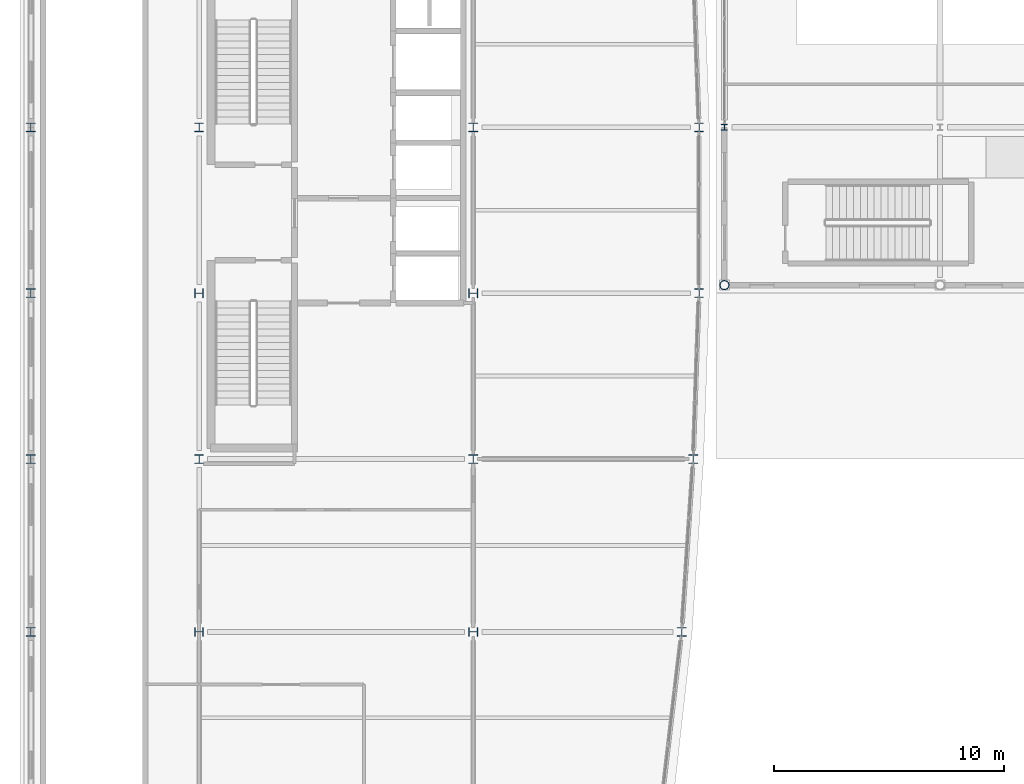
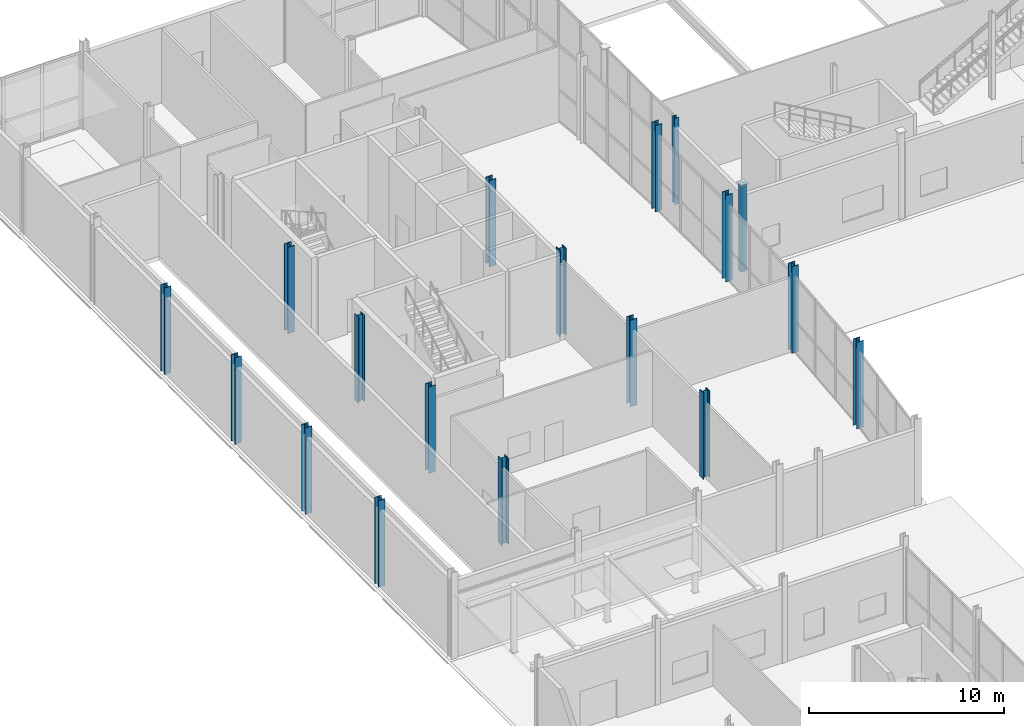
# One storey, part 3 of 83: 18 columns.
"""IFC4 building model written with IfcOpenShell, lengths in metres."""

from ifc_helpers import new_model, si_unit, direction, frame, origin, origin_2d, place, context, subcontext, project, spatial, hollow_circle, i_section, extrude, material, material_profile, profile_set, type_object, element, save


model = new_model("IFC4")

# Units and contexts
model_context = context("Model", 3, precision=1e-05, world=origin(), true_north=direction((0.0, 1.0)))
body_context = subcontext(model_context, "Body", "Model", "MODEL_VIEW")
ifc_project = project(units=[si_unit("LENGTHUNIT", "METRE"), si_unit("AREAUNIT", "SQUARE_METRE"), si_unit("VOLUMEUNIT", "CUBIC_METRE"), si_unit("PLANEANGLEUNIT", "RADIAN"), si_unit("MASSUNIT", "GRAM", prefix="KILO")], contexts=[model_context])

# Site, building, storey
site_placement = place(None, origin())
site = spatial("IfcSite", under=ifc_project, at=site_placement, CompositionType="ELEMENT")
building_placement = place(site_placement, origin())
building = spatial("IfcBuilding", under=site, at=building_placement, Name="Quillay Park Conservatory", CompositionType="ELEMENT")
storey_placement = place(building_placement, origin())
storey = spatial("IfcBuildingStorey", under=building, at=storey_placement, Name="L00", CompositionType="ELEMENT", Elevation=0.0)

# Columns
ifc_material_1 = material(Name="Steel S355J2H", Category="steel")
ifc_material_profile_1 = material_profile(ifc_material_1, hollow_circle(Radius=0.203125, WallThickness=0.01611328125, at=origin_2d()), Name="CHS406.4x16")
ifc_profile_set_1 = profile_set([ifc_material_profile_1], Name="Steel S355J2H")
column_type_1 = type_object("IfcColumnType", Name="COMPOSITE STEEL COLUMN CHS406", PredefinedType="COLUMN", material=ifc_profile_set_1)
column_1_placement = place(storey_placement, frame((30.64990234375, 85.550048828125, 0.0), z_axis=(0.0, 0.0, 1.0), x_axis=(1.0, 0.0, 0.0)))
element("IfcColumn", 1, at=column_1_placement, inside=storey, type_object=column_type_1, Name="L00 column COL-V1-L00-0-0", PredefinedType="COLUMN", context=body_context, shape_type="SweptSolid", body=[
    extrude(hollow_circle(Radius=0.203125, WallThickness=0.01611328125, at=origin_2d()), origin(), (0.0, 0.0, 1.0), 5.39990234375),
])
ifc_material_2 = material(Name="Steel ASTM A992 Grade 50", Category="steel")
ifc_material_profile_2 = material_profile(ifc_material_2, i_section(OverallWidth=0.256103515625, OverallDepth=0.260009765625, WebThickness=0.0107421875, FlangeThickness=0.017333984375, FilletRadius=0.012939453125, at=origin_2d()), Name="W250x89")
ifc_profile_set_2 = profile_set([ifc_material_profile_2], Name="Steel ASTM A992 Grade 50")
column_type_2 = type_object("IfcColumnType", Name="COMPOSITE STEEL COLUMN W250 X89", PredefinedType="COLUMN", material=ifc_profile_set_2)
column_2_placement = place(storey_placement, frame((30.64990234375, 92.39990234375, 0.0), z_axis=(0.0, 0.0, 1.0), x_axis=(1.0, 0.0, 0.0)))
element("IfcColumn", 2, at=column_2_placement, inside=storey, type_object=column_type_2, Name="L00 column COL-V1-WK-0", PredefinedType="COLUMN", context=body_context, shape_type="SweptSolid", body=[
    extrude(i_section(OverallWidth=0.256103515625, OverallDepth=0.260009765625, WebThickness=0.0107421875, FlangeThickness=0.017333984375, FilletRadius=0.012939453125, at=origin_2d()), origin(), (0.0, 0.0, 1.0), 5.39990234375),
])
ifc_material_3 = material(Name="Steel ASTM A992 Grade 50", Category="steel")
ifc_material_profile_3 = material_profile(ifc_material_3, i_section(OverallWidth=0.39892578125, OverallDepth=0.39306640625, WebThickness=0.022705078125, FlangeThickness=0.0361328125, FilletRadius=0.014892578125, at=origin_2d()), Name="W360x287")
ifc_profile_set_3 = profile_set([ifc_material_profile_3], Name="Steel ASTM A992 Grade 50")
column_type_3 = type_object("IfcColumnType", Name="COMPOSITE STEEL COLUMN W360 X287", PredefinedType="COLUMN", material=ifc_profile_set_3)
for number, where, z_axis, x_axis, name in (
    (3, (0.550048828125, 70.5, 0.0), (0.0, 0.0, 1.0), (1.0, 0.0, 0.0), "L00 column COL-V4-L00-1-0"),
    (4, (7.85009765625, 70.5, 0.0), (0.0, 0.0, 1.0), (0.0, 1.0, 0.0), "L00 column COL-V4-L00-1-1"),
    (5, (19.75, 70.5, 0.0), (0.0, 0.0, 1.0), (0.0, 1.0, 0.0), "L00 column COL-V4-L00-1-2"),
    (6, (28.800048828125, 70.5, 0.0), (0.0, 0.0, 1.0), (1.0, 0.0, 0.0), "L00 column COL-V4-L00-1-3"),
    (7, (0.550048828125, 78.0, 0.0), (0.0, 0.0, 1.0), (1.0, 0.0, 0.0), "L00 column COL-V4-L00-2-0"),
    (8, (7.85009765625, 78.0, 0.0), (0.0, 0.0, 1.0), (1.0, 0.0, 0.0), "L00 column COL-V4-L00-2-1"),
    (9, (19.75, 78.0, 0.0), (0.0, 0.0, 1.0), (1.0, 0.0, 0.0), "L00 column COL-V4-L00-2-2"),
    (10, (29.300048828125, 78.0, 0.0), (0.0, 0.0, 1.0), (1.0, 0.0, 0.0), "L00 column COL-V4-L00-2-3"),
    (11, (0.550048828125, 85.199951171875, 0.0), (0.0, 0.0, 1.0), (1.0, 0.0, 0.0), "L00 column COL-V4-L00-3-0"),
    (12, (7.85009765625, 85.199951171875, 0.0), (0.0, 0.0, 1.0), (0.0, 1.0, 0.0), "L00 column COL-V4-L00-3-1"),
    (13, (19.75, 85.199951171875, 0.0), (0.0, 0.0, 1.0), (0.0, 1.0, 0.0), "L00 column COL-V4-L00-3-2"),
    (14, (29.550048828125, 85.199951171875, 0.0), (0.0, 0.0, 1.0), (1.0, 0.0, 0.0), "L00 column COL-V4-L00-3-3"),
    (15, (0.550048828125, 92.39990234375, 0.0), (0.0, 0.0, 1.0), (1.0, 0.0, 0.0), "L00 column COL-V4-L00-4-0"),
    (16, (7.85009765625, 92.39990234375, 0.0), (0.0, 0.0, 1.0), (1.0, 0.0, 0.0), "L00 column COL-V4-L00-4-1"),
    (17, (19.75, 92.39990234375, 0.0), (0.0, 0.0, 1.0), (1.0, 0.0, 0.0), "L00 column COL-V4-L00-4-2"),
    (18, (29.550048828125, 92.39990234375, 0.0), (0.0, 0.0, 1.0), (1.0, 0.0, 0.0), "L00 column COL-V4-L00-4-3"),
):
    element("IfcColumn", number, at=place(storey_placement, frame(where, z_axis=z_axis, x_axis=x_axis)), inside=storey, type_object=column_type_3, Name=name, PredefinedType="COLUMN", context=body_context, shape_type="SweptSolid", body=[
        extrude(i_section(OverallWidth=0.39892578125, OverallDepth=0.39306640625, WebThickness=0.022705078125, FlangeThickness=0.0361328125, FilletRadius=0.014892578125, at=origin_2d()), origin(), (0.0, 0.0, 1.0), 5.39990234375),
    ])

save(model, "model.ifc")
